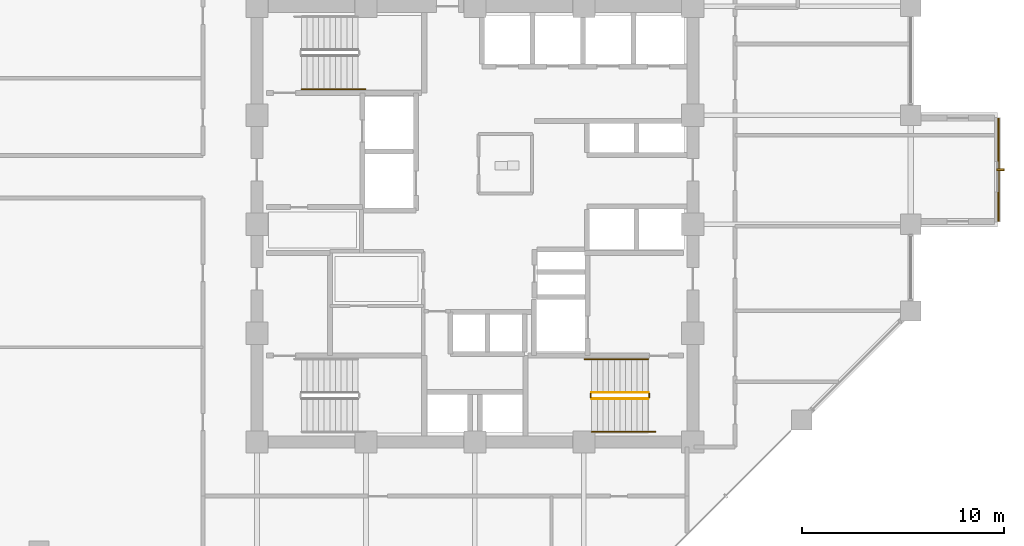
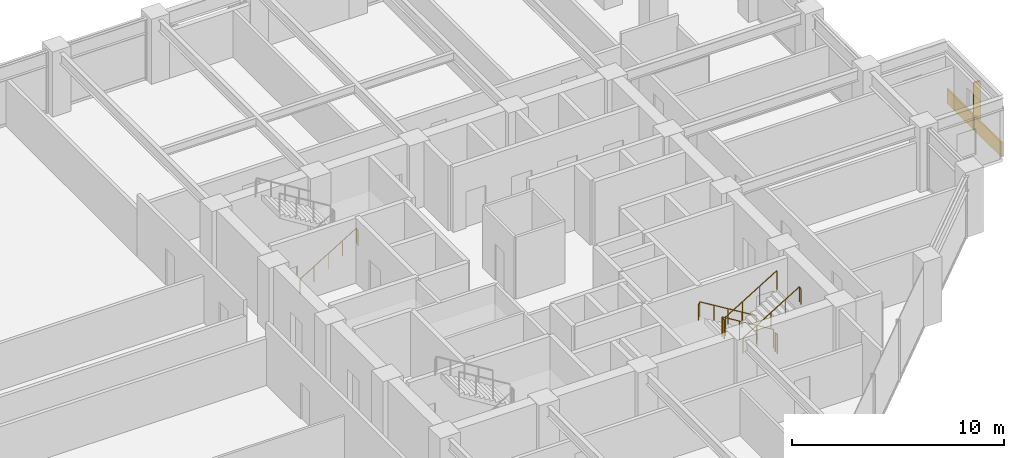
# One storey, part 24 of 26: 7 railings, 1 covering, 1 shading device.
"""IFC4 building model written with IfcOpenShell, lengths in metres."""

from ifc_helpers import new_model, si_unit, direction, frame, origin, origin_2d, place, context, subcontext, project, spatial, rectangle, circle, extrude, material, layer, layer_set, type_object, element, save


model = new_model("IFC4")

# Units and contexts
model_context = context("Model", 3, precision=1e-05, world=origin(), true_north=direction((0.0, 1.0)))
body_context = subcontext(model_context, "Body", "Model", "MODEL_VIEW")
ifc_project = project(units=[si_unit("LENGTHUNIT", "METRE"), si_unit("AREAUNIT", "SQUARE_METRE"), si_unit("VOLUMEUNIT", "CUBIC_METRE"), si_unit("PLANEANGLEUNIT", "RADIAN"), si_unit("MASSUNIT", "GRAM", prefix="KILO")], contexts=[model_context])

# Site, building, storey
site_placement = place(None, origin())
site = spatial("IfcSite", under=ifc_project, at=site_placement, CompositionType="ELEMENT")
building_placement = place(site_placement, origin())
building = spatial("IfcBuilding", under=site, at=building_placement, Name="Surkhivell Harbour Commons", CompositionType="ELEMENT")
storey_placement = place(building_placement, frame((0.0, 0.0, 143.25)))
storey = spatial("IfcBuildingStorey", under=building, at=storey_placement, Name="L37", CompositionType="ELEMENT", Elevation=143.25)

# Covering
ifc_material_1 = material(Name="Emerald-teal enamelled aluminium cassette panel", Category="aluminium")
ifc_layer = layer(ifc_material_1, 0.068115234375)
ifc_layer_set = layer_set([ifc_layer], Name="Emerald-teal enamelled aluminium cassette panel")
covering_type = type_object("IfcCoveringType", Name="COV-CLAD-EME", PredefinedType="CLADDING", material=ifc_layer_set)
covering_placement = place(storey_placement, frame((25.93994140625, 2.699951171875, 0.0), z_axis=(0.0, 0.0, 1.0), x_axis=(1.0, 0.0, 0.0)))
element("IfcCovering", 1, at=covering_placement, inside=storey, type_object=covering_type, Name="L37 Coloured-Panel Box Spandrel Cassette 01", PredefinedType="CLADDING", context=body_context, shape_type="SweptSolid", body=[
    extrude(rectangle(XDim=0.080078125, YDim=5.10009765625, at=origin_2d()), origin(), (0.0, 0.0, 1.0), 0.840087890625),
])

# Railings
ifc_material_2 = material(Name="Galvanised and painted steel S355 guard rail", Category="steel")
railing_type_1 = type_object("IfcRailingType", Name="RAL-ST-GRD1100", PredefinedType="GUARDRAIL", material=ifc_material_2)
railing_1_placement = place(storey_placement, frame((8.590087890625, -8.340087890625, 0.17041015625)))
element("IfcRailing", 2, at=railing_1_placement, inside=storey, type_object=railing_type_1, Name="L37 ST2 stair guard 1", PredefinedType="GUARDRAIL", context=body_context, shape_type="SweptSolid", body=[
    extrude(circle(Radius=0.02392578125, at=origin_2d()), frame((0.0, 0.0, 1.076171875), z_axis=(-0.854169791009, 0.0, 0.51999420009), x_axis=(0.0, -1.0, 0.0)), (0.0, 0.0, 1.0), 3.278076171875),
    extrude(circle(Radius=0.02099609375, at=origin_2d()), origin(), (0.0, 0.0, 1.0), 1.052001953125),
    extrude(circle(Radius=0.02099609375, at=origin_2d()), frame((-0.933349609375, 0.0, 0.568115234375)), (0.0, 0.0, 1.0), 1.052001953125),
    extrude(circle(Radius=0.02099609375, at=origin_2d()), frame((-1.86669921875, 0.0, 1.136474609375)), (0.0, 0.0, 1.0), 1.052001953125),
    extrude(circle(Radius=0.02099609375, at=origin_2d()), frame((-2.800048828125, 0.0, 1.70458984375)), (0.0, 0.0, 1.0), 1.052001953125),
])
railing_2_placement = place(storey_placement, frame((5.739990234375, -8.389892578125, 1.875)))
element("IfcRailing", 3, at=railing_2_placement, inside=storey, type_object=railing_type_1, Name="L37 ST2 stair guard 2", PredefinedType="GUARDRAIL", context=body_context, shape_type="SweptSolid", body=[
    extrude(circle(Radius=0.02392578125, at=origin_2d()), frame((0.0, 0.0, 1.076171875), z_axis=(0.0, -1.0, 0.0), x_axis=(1.0, 0.0, 0.0)), (0.0, 0.0, 1.0), 0.2001953125),
    extrude(circle(Radius=0.02099609375, at=origin_2d()), origin(), (0.0, 0.0, 1.0), 1.052001953125),
    extrude(circle(Radius=0.02099609375, at=origin_2d()), frame((0.0, -0.2001953125, 0.0)), (0.0, 0.0, 1.0), 1.052001953125),
])
railing_3_placement = place(storey_placement, frame((5.7900390625, -8.639892578125, 2.04541015625)))
element("IfcRailing", 4, at=railing_3_placement, inside=storey, type_object=railing_type_1, Name="L37 ST2 stair guard 3", PredefinedType="GUARDRAIL", context=body_context, shape_type="SweptSolid", body=[
    extrude(circle(Radius=0.02392578125, at=origin_2d()), frame((0.0, 0.0, 1.076171875), z_axis=(0.854169791009, 0.0, 0.51999420009), x_axis=(0.0, 1.0, 0.0)), (0.0, 0.0, 1.0), 3.278076171875),
    extrude(circle(Radius=0.02099609375, at=origin_2d()), origin(), (0.0, 0.0, 1.0), 1.052001953125),
    extrude(circle(Radius=0.02099609375, at=origin_2d()), frame((0.933349609375, 0.0, 0.568115234375)), (0.0, 0.0, 1.0), 1.052001953125),
    extrude(circle(Radius=0.02099609375, at=origin_2d()), frame((1.86669921875, 0.0, 1.136474609375)), (0.0, 0.0, 1.0), 1.052001953125),
    extrude(circle(Radius=0.02099609375, at=origin_2d()), frame((2.800048828125, 0.0, 1.70458984375)), (0.0, 0.0, 1.0), 1.052001953125),
])
railing_4_placement = place(storey_placement, frame((8.639892578125, -8.389892578125, 0.0)))
element("IfcRailing", 5, at=railing_4_placement, inside=storey, type_object=railing_type_1, Name="L37 ST2 stair guard 4", PredefinedType="GUARDRAIL", context=body_context, shape_type="SweptSolid", body=[
    extrude(circle(Radius=0.02392578125, at=origin_2d()), frame((0.0, 0.0, 1.076171875), z_axis=(0.0, -1.0, 0.0), x_axis=(1.0, 0.0, 0.0)), (0.0, 0.0, 1.0), 0.2001953125),
    extrude(circle(Radius=0.02099609375, at=origin_2d()), origin(), (0.0, 0.0, 1.0), 1.052001953125),
    extrude(circle(Radius=0.02099609375, at=origin_2d()), frame((0.0, -0.2001953125, 0.0)), (0.0, 0.0, 1.0), 1.052001953125),
])
ifc_material_3 = material(Name="Brushed stainless steel S355 handrail", Category="steel")
railing_type_2 = type_object("IfcRailingType", Name="RAL-ST-HND900", PredefinedType="HANDRAIL", material=ifc_material_3)
railing_5_placement = place(storey_placement, frame((-8.590087890625, 6.68994140625, 0.17041015625)))
element("IfcRailing", 6, at=railing_5_placement, inside=storey, type_object=railing_type_2, Name="L37 ST1 stair handrail 1", PredefinedType="HANDRAIL", context=body_context, shape_type="SweptSolid", body=[
    extrude(circle(Radius=0.02392578125, at=origin_2d()), frame((0.0, 0.0, 0.8759765625), z_axis=(0.854177636135, 0.0, 0.519981313056), x_axis=(0.0, 1.0, 0.0)), (0.0, 0.0, 1.0), 3.60595703125),
    extrude(circle(Radius=0.02392578125, at=origin_2d()), frame((3.080078125, 0.0, 2.7509765625), z_axis=(0.425297416671, 0.0, -0.905053648892), x_axis=(0.0, 1.0, 0.0)), (0.0, 0.0, 1.0), 0.188232421875),
    extrude(circle(Radius=0.02099609375, at=origin_2d()), origin(), (0.0, 0.0, 1.0), 0.851806640625),
    extrude(circle(Radius=0.02099609375, at=origin_2d()), frame((0.77001953125, 0.0, 0.46875)), (0.0, 0.0, 1.0), 0.851806640625),
    extrude(circle(Radius=0.02099609375, at=origin_2d()), frame((1.5400390625, 0.0, 0.9375)), (0.0, 0.0, 1.0), 0.851806640625),
    extrude(circle(Radius=0.02099609375, at=origin_2d()), frame((2.31005859375, 0.0, 1.40625)), (0.0, 0.0, 1.0), 0.851806640625),
    extrude(circle(Radius=0.02099609375, at=origin_2d()), frame((3.080078125, 0.0, 1.875)), (0.0, 0.0, 1.0), 0.851806640625),
    extrude(circle(Radius=0.02099609375, at=origin_2d()), frame((3.16015625, 0.0, 1.70458984375)), (0.0, 0.0, 1.0), 0.851806640625),
])
railing_6_placement = place(storey_placement, frame((8.590087890625, -6.68994140625, 0.17041015625)))
element("IfcRailing", 7, at=railing_6_placement, inside=storey, type_object=railing_type_2, Name="L37 ST2 stair handrail 1", PredefinedType="HANDRAIL", context=body_context, shape_type="SweptSolid", body=[
    extrude(circle(Radius=0.02392578125, at=origin_2d()), frame((0.0, 0.0, 0.8759765625), z_axis=(-0.854177636135, 0.0, 0.519981313056), x_axis=(0.0, -1.0, 0.0)), (0.0, 0.0, 1.0), 3.60595703125),
    extrude(circle(Radius=0.02392578125, at=origin_2d()), frame((-3.080078125, 0.0, 2.7509765625), z_axis=(-0.425297416671, 0.0, -0.905053648892), x_axis=(0.0, -1.0, 0.0)), (0.0, 0.0, 1.0), 0.188232421875),
    extrude(circle(Radius=0.02099609375, at=origin_2d()), origin(), (0.0, 0.0, 1.0), 0.851806640625),
    extrude(circle(Radius=0.02099609375, at=origin_2d()), frame((-0.77001953125, 0.0, 0.46875)), (0.0, 0.0, 1.0), 0.851806640625),
    extrude(circle(Radius=0.02099609375, at=origin_2d()), frame((-1.5400390625, 0.0, 0.9375)), (0.0, 0.0, 1.0), 0.851806640625),
    extrude(circle(Radius=0.02099609375, at=origin_2d()), frame((-2.31005859375, 0.0, 1.40625)), (0.0, 0.0, 1.0), 0.851806640625),
    extrude(circle(Radius=0.02099609375, at=origin_2d()), frame((-3.080078125, 0.0, 1.875)), (0.0, 0.0, 1.0), 0.851806640625),
    extrude(circle(Radius=0.02099609375, at=origin_2d()), frame((-3.16015625, 0.0, 1.70458984375)), (0.0, 0.0, 1.0), 0.851806640625),
])
railing_7_placement = place(storey_placement, frame((5.7900390625, -10.2900390625, 2.04541015625)))
element("IfcRailing", 8, at=railing_7_placement, inside=storey, type_object=railing_type_2, Name="L37 ST2 stair handrail 2", PredefinedType="HANDRAIL", context=body_context, shape_type="SweptSolid", body=[
    extrude(circle(Radius=0.02392578125, at=origin_2d()), frame((0.0, 0.0, 0.8759765625), z_axis=(0.854177636135, 0.0, 0.519981313056), x_axis=(0.0, 1.0, 0.0)), (0.0, 0.0, 1.0), 3.60595703125),
    extrude(circle(Radius=0.02392578125, at=origin_2d()), frame((3.080078125, 0.0, 2.7509765625), z_axis=(0.424234432967, 0.0, -0.905552398199), x_axis=(0.0, 1.0, 0.0)), (0.0, 0.0, 1.0), 0.188232421875),
    extrude(circle(Radius=0.02099609375, at=origin_2d()), origin(), (0.0, 0.0, 1.0), 0.851806640625),
    extrude(circle(Radius=0.02099609375, at=origin_2d()), frame((0.77001953125, 0.0, 0.46875)), (0.0, 0.0, 1.0), 0.851806640625),
    extrude(circle(Radius=0.02099609375, at=origin_2d()), frame((1.5400390625, 0.0, 0.9375)), (0.0, 0.0, 1.0), 0.851806640625),
    extrude(circle(Radius=0.02099609375, at=origin_2d()), frame((2.31005859375, 0.0, 1.40625)), (0.0, 0.0, 1.0), 0.851806640625),
    extrude(circle(Radius=0.02099609375, at=origin_2d()), frame((3.080078125, 0.0, 1.875)), (0.0, 0.0, 1.0), 0.851806640625),
    extrude(circle(Radius=0.02099609375, at=origin_2d()), frame((3.159912109375, 0.0, 1.70458984375)), (0.0, 0.0, 1.0), 0.851806640625),
])

# Shading device
ifc_material_4 = material(Name="Anodised pale-metal aluminium solar fin", Category="aluminium")
shading_device_type = type_object("IfcShadingDeviceType", Name="SHD-FIN-VERT", PredefinedType="USERDEFINED", material=ifc_material_4)
shading_device_placement = place(storey_placement, frame((26.0400390625, 2.699951171875, 0.0048828125), z_axis=(0.0, 0.0, 1.0), x_axis=(1.0, 0.0, 0.0)))
element("IfcShadingDevice", 9, at=shading_device_placement, inside=storey, type_object=shading_device_type, Name="L37 Coloured-Box Solar Fin 01", ObjectType="FIN", PredefinedType="USERDEFINED", context=body_context, shape_type="SweptSolid", body=[
    extrude(rectangle(XDim=0.360107421875, YDim=0.090087890625, at=origin_2d()), origin(), (0.0, 0.0, 1.0), 2.75),
])

save(model, "model.ifc")
